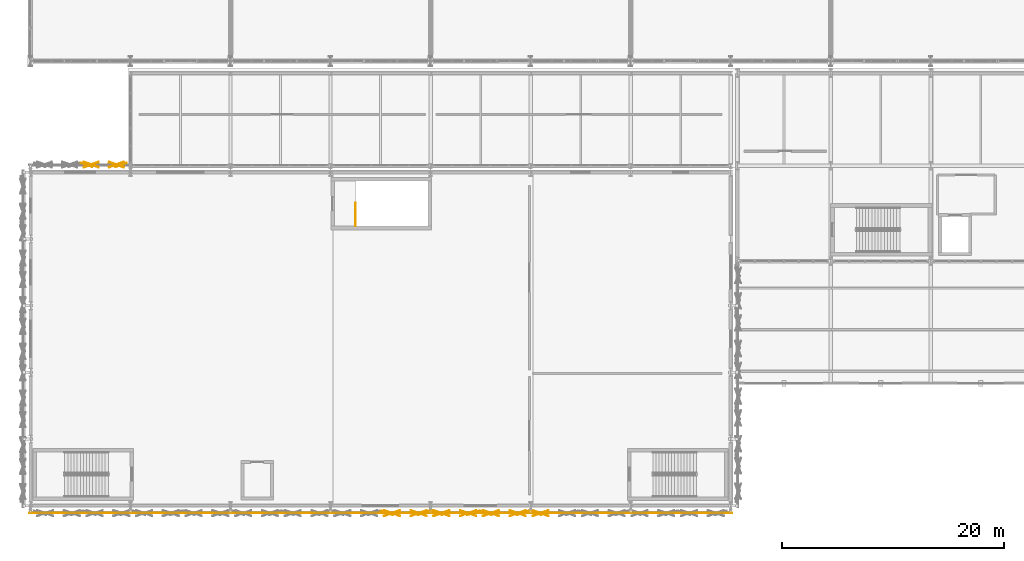
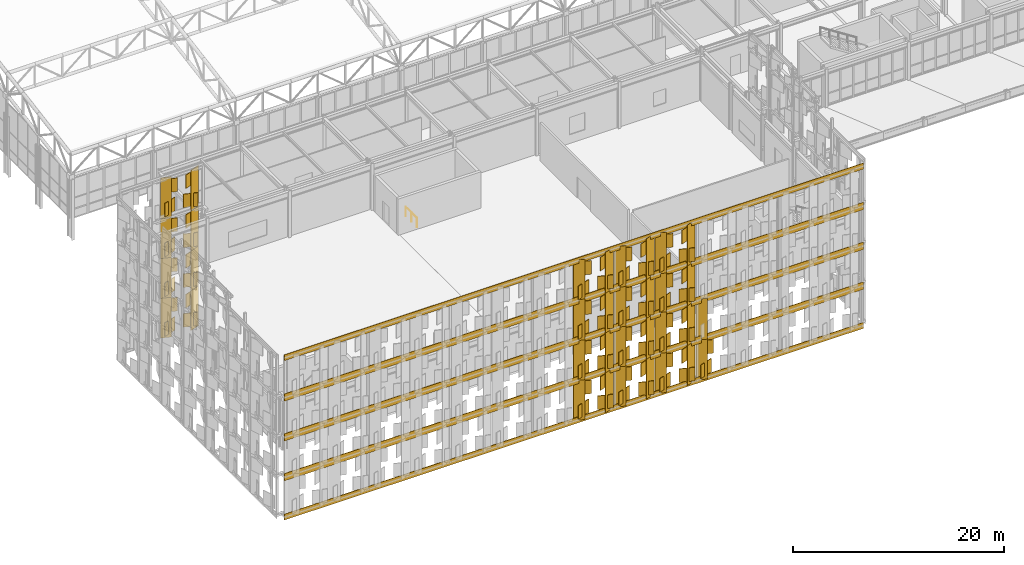
# One storey, part 218 of 239: 105 coverings, 1 railing.
"""IFC4 building model written with IfcOpenShell, lengths in metres."""

from ifc_helpers import new_model, si_unit, direction, frame, origin, origin_2d, place, context, subcontext, project, spatial, rectangle, circle, extrude, material, layer, layer_set, type_object, element, save


model = new_model("IFC4")

# Units and contexts
model_context = context("Model", 3, precision=1e-05, world=origin(), true_north=direction((0.0, 1.0)))
body_context = subcontext(model_context, "Body", "Model", "MODEL_VIEW")
ifc_project = project(units=[si_unit("LENGTHUNIT", "METRE"), si_unit("AREAUNIT", "SQUARE_METRE"), si_unit("VOLUMEUNIT", "CUBIC_METRE"), si_unit("PLANEANGLEUNIT", "RADIAN"), si_unit("MASSUNIT", "GRAM", prefix="KILO")], contexts=[model_context])

# Site, building, storey
site_placement = place(None, origin())
site = spatial("IfcSite", under=ifc_project, at=site_placement, CompositionType="ELEMENT")
building_placement = place(site_placement, origin())
building = spatial("IfcBuilding", under=site, at=building_placement, Name="Kaldris Quays Convention Centre", CompositionType="ELEMENT")
storey_placement = place(building_placement, frame((0.0, 0.0, 11.39990234375)))
storey = spatial("IfcBuildingStorey", under=building, at=storey_placement, Name="L02", CompositionType="ELEMENT", Elevation=11.39990234375)

# Railing
ifc_material_1 = material(Name="Steel S355J2", Category="steel")
railing_type = type_object("IfcRailingType", Name="INTERIOR GUARDRAIL GR01", PredefinedType="GUARDRAIL", material=ifc_material_1)
railing_placement = place(storey_placement, frame((49.25, 41.14990234375, 0.0)))
element("IfcRailing", 1, at=railing_placement, inside=storey, type_object=railing_type, Name="L02 ST07 Top Well Guardrail 1", PredefinedType="GUARDRAIL", context=body_context, shape_type="SweptSolid", body=[
    extrude(circle(Radius=0.02392578125, at=origin_2d()), frame((0.0, 0.0, 1.076171875), z_axis=(0.0, 1.0, 0.0), x_axis=(-1.0, 0.0, 0.0)), (0.0, 0.0, 1.0), 2.10009765625),
    extrude(circle(Radius=0.02099609375, at=origin_2d()), origin(), (0.0, 0.0, 1.0), 1.052001953125),
    extrude(circle(Radius=0.02099609375, at=origin_2d()), frame((0.0, 1.050048828125, 0.0)), (0.0, 0.0, 1.0), 1.052001953125),
    extrude(circle(Radius=0.02099609375, at=origin_2d()), frame((0.0, 2.10009765625, 0.0)), (0.0, 0.0, 1.0), 1.052001953125),
])

# Coverings
ifc_material_2 = material(Name="Alabaster white star-pierced anodized aluminium panel", Category="aluminium")
ifc_layer = layer(ifc_material_2, 0.044921875)
ifc_layer_set = layer_set([ifc_layer], Name="Alabaster white star-pierced anodized aluminium panel")
covering_type = type_object("IfcCoveringType", Name="STAR PIERCED WHITE FOLDED SCREEN CL01", PredefinedType="CLADDING", material=ifc_layer_set)
covering_1_placement = place(storey_placement, frame((51.5, 15.35009765625, -7.8896484375), z_axis=(0.0, 0.0, 1.0), x_axis=(1.0, 0.0, 0.0)))
element("IfcCovering", 2, at=covering_1_placement, inside=storey, type_object=covering_type, Name="V3S White Screen Folded Band 2714", PredefinedType="CLADDING", context=body_context, shape_type="SweptSolid", body=[
    extrude(rectangle(XDim=63.239990234375, YDim=0.054931640625, at=origin_2d()), origin(), (0.0, 0.0, 1.0), 0.679931640625),
])
for number, where, z_axis, x_axis, name in (
    (3, (51.5, 15.35009765625, -3.3701171875), (0.0, 0.0, 1.0), (1.0, 0.0, 0.0), "V3S White Screen Folded Band 2715"),
    (4, (51.5, 15.35009765625, 1.22998046875), (0.0, 0.0, 1.0), (1.0, 0.0, 0.0), "V3S White Screen Folded Band 2716"),
    (5, (51.5, 15.35009765625, 5.830078125), (0.0, 0.0, 1.0), (1.0, 0.0, 0.0), "V3S White Screen Folded Band 2717"),
):
    element("IfcCovering", number, at=place(storey_placement, frame(where, z_axis=z_axis, x_axis=x_axis)), inside=storey, type_object=covering_type, Name=name, PredefinedType="CLADDING", context=body_context, shape_type="SweptSolid", body=[
        extrude(rectangle(XDim=63.239990234375, YDim=0.054931640625, at=origin_2d()), origin(), (0.0, 0.0, 1.0), 0.840087890625),
    ])
covering_2_placement = place(storey_placement, frame((51.5, 15.35009765625, 10.51025390625), z_axis=(0.0, 0.0, 1.0), x_axis=(1.0, 0.0, 0.0)))
element("IfcCovering", 6, at=covering_2_placement, inside=storey, type_object=covering_type, Name="V3S White Screen Folded Band 2718", PredefinedType="CLADDING", context=body_context, shape_type="SweptSolid", body=[
    extrude(rectangle(XDim=63.239990234375, YDim=0.054931640625, at=origin_2d()), origin(), (0.0, 0.0, 1.0), 0.679931640625),
])
for number, where, z_axis, x_axis, name in (
    (7, (52.079345703125, 15.340087890625, -7.60986328125), (0.0, 0.0, 1.0), (0.945518575599, -0.325568154457, 0.0), "V3S Folded White Screen Stile 2887"),
    (8, (55.377685546875, 15.340087890625, -7.60986328125), (0.0, 0.0, 1.0), (0.945518575599, 0.325568154457, 0.0), "V3S Folded White Screen Stile 2888"),
):
    element("IfcCovering", number, at=place(storey_placement, frame(where, z_axis=z_axis, x_axis=x_axis)), inside=storey, type_object=covering_type, Name=name, PredefinedType="CLADDING", context=body_context, shape_type="SweptSolid", body=[
        extrude(rectangle(XDim=1.131103515625, YDim=0.054931640625, at=origin_2d()), origin(), (0.0, 0.0, 1.0), 4.719970703125),
    ])
for number, where, z_axis, x_axis, name in (
    (9, (52.525146484375, 15.320068359375, -7.27392578125), (0.0, 0.0, 1.0), (0.945518575599, 0.325568154457, 0.0), "V3S Carved Star Corner Facet 2889"),
    (10, (52.525146484375, 15.320068359375, -4.789794921875), (0.0, 0.0, 1.0), (0.945518575599, -0.325568154457, 0.0), "V3S Carved Star Corner Facet 2890"),
    (11, (54.931884765625, 15.320068359375, -7.27392578125), (0.0, 0.0, 1.0), (0.945518575599, -0.325568154457, 0.0), "V3S Carved Star Corner Facet 2891"),
    (12, (54.931884765625, 15.320068359375, -4.789794921875), (0.0, 0.0, 1.0), (0.945518575599, 0.325568154457, 0.0), "V3S Carved Star Corner Facet 2892"),
):
    element("IfcCovering", number, at=place(storey_placement, frame(where, z_axis=z_axis, x_axis=x_axis)), inside=storey, type_object=covering_type, Name=name, PredefinedType="CLADDING", context=body_context, shape_type="SweptSolid", body=[
        extrude(rectangle(XDim=1.514892578125, YDim=0.06494140625, at=origin_2d()), origin(), (0.0, 0.0, 1.0), 1.56396484375),
    ])
for number, where, z_axis, x_axis, name in (
    (13, (52.079345703125, 15.340087890625, -3.009765625), (0.0, 0.0, 1.0), (0.945518575599, -0.325568154457, 0.0), "V3S Folded White Screen Stile 2893"),
    (14, (55.377685546875, 15.340087890625, -3.009765625), (0.0, 0.0, 1.0), (0.945518575599, 0.325568154457, 0.0), "V3S Folded White Screen Stile 2894"),
):
    element("IfcCovering", number, at=place(storey_placement, frame(where, z_axis=z_axis, x_axis=x_axis)), inside=storey, type_object=covering_type, Name=name, PredefinedType="CLADDING", context=body_context, shape_type="SweptSolid", body=[
        extrude(rectangle(XDim=1.131103515625, YDim=0.054931640625, at=origin_2d()), origin(), (0.0, 0.0, 1.0), 4.719970703125),
    ])
for number, where, z_axis, x_axis, name in (
    (15, (52.525146484375, 15.320068359375, -2.673828125), (0.0, 0.0, 1.0), (0.945518575599, 0.325568154457, 0.0), "V3S Carved Star Corner Facet 2895"),
    (16, (52.525146484375, 15.320068359375, -0.18994140625), (0.0, 0.0, 1.0), (0.945518575599, -0.325568154457, 0.0), "V3S Carved Star Corner Facet 2896"),
    (17, (54.931884765625, 15.320068359375, -2.673828125), (0.0, 0.0, 1.0), (0.945518575599, -0.325568154457, 0.0), "V3S Carved Star Corner Facet 2897"),
    (18, (54.931884765625, 15.320068359375, -0.18994140625), (0.0, 0.0, 1.0), (0.945518575599, 0.325568154457, 0.0), "V3S Carved Star Corner Facet 2898"),
):
    element("IfcCovering", number, at=place(storey_placement, frame(where, z_axis=z_axis, x_axis=x_axis)), inside=storey, type_object=covering_type, Name=name, PredefinedType="CLADDING", context=body_context, shape_type="SweptSolid", body=[
        extrude(rectangle(XDim=1.514892578125, YDim=0.06494140625, at=origin_2d()), origin(), (0.0, 0.0, 1.0), 1.56396484375),
    ])
for number, where, z_axis, x_axis, name in (
    (19, (52.079345703125, 15.340087890625, 1.59033203125), (0.0, 0.0, 1.0), (0.945518575599, -0.325568154457, 0.0), "V3S Folded White Screen Stile 2899"),
    (20, (55.377685546875, 15.340087890625, 1.59033203125), (0.0, 0.0, 1.0), (0.945518575599, 0.325568154457, 0.0), "V3S Folded White Screen Stile 2900"),
):
    element("IfcCovering", number, at=place(storey_placement, frame(where, z_axis=z_axis, x_axis=x_axis)), inside=storey, type_object=covering_type, Name=name, PredefinedType="CLADDING", context=body_context, shape_type="SweptSolid", body=[
        extrude(rectangle(XDim=1.131103515625, YDim=0.054931640625, at=origin_2d()), origin(), (0.0, 0.0, 1.0), 4.719970703125),
    ])
for number, where, z_axis, x_axis, name in (
    (21, (52.525146484375, 15.320068359375, 1.926025390625), (0.0, 0.0, 1.0), (0.945518575599, 0.325568154457, 0.0), "V3S Carved Star Corner Facet 2901"),
    (22, (52.525146484375, 15.320068359375, 4.41015625), (0.0, 0.0, 1.0), (0.945518575599, -0.325568154457, 0.0), "V3S Carved Star Corner Facet 2902"),
    (23, (54.931884765625, 15.320068359375, 1.926025390625), (0.0, 0.0, 1.0), (0.945518575599, -0.325568154457, 0.0), "V3S Carved Star Corner Facet 2903"),
    (24, (54.931884765625, 15.320068359375, 4.41015625), (0.0, 0.0, 1.0), (0.945518575599, 0.325568154457, 0.0), "V3S Carved Star Corner Facet 2904"),
):
    element("IfcCovering", number, at=place(storey_placement, frame(where, z_axis=z_axis, x_axis=x_axis)), inside=storey, type_object=covering_type, Name=name, PredefinedType="CLADDING", context=body_context, shape_type="SweptSolid", body=[
        extrude(rectangle(XDim=1.514892578125, YDim=0.06494140625, at=origin_2d()), origin(), (0.0, 0.0, 1.0), 1.56396484375),
    ])
for number, where, z_axis, x_axis, name in (
    (25, (52.079345703125, 15.340087890625, 6.18994140625), (0.0, 0.0, 1.0), (0.945518575599, -0.325568154457, 0.0), "V3S Folded White Screen Stile 2905"),
    (26, (55.377685546875, 15.340087890625, 6.18994140625), (0.0, 0.0, 1.0), (0.945518575599, 0.325568154457, 0.0), "V3S Folded White Screen Stile 2906"),
):
    element("IfcCovering", number, at=place(storey_placement, frame(where, z_axis=z_axis, x_axis=x_axis)), inside=storey, type_object=covering_type, Name=name, PredefinedType="CLADDING", context=body_context, shape_type="SweptSolid", body=[
        extrude(rectangle(XDim=1.131103515625, YDim=0.054931640625, at=origin_2d()), origin(), (0.0, 0.0, 1.0), 4.719970703125),
    ])
for number, where, z_axis, x_axis, name in (
    (27, (52.525146484375, 15.320068359375, 6.526123046875), (0.0, 0.0, 1.0), (0.945518575599, 0.325568154457, 0.0), "V3S Carved Star Corner Facet 2907"),
    (28, (52.525146484375, 15.320068359375, 9.010009765625), (0.0, 0.0, 1.0), (0.945518575599, -0.325568154457, 0.0), "V3S Carved Star Corner Facet 2908"),
    (29, (54.931884765625, 15.320068359375, 6.526123046875), (0.0, 0.0, 1.0), (0.945518575599, -0.325568154457, 0.0), "V3S Carved Star Corner Facet 2909"),
    (30, (54.931884765625, 15.320068359375, 9.010009765625), (0.0, 0.0, 1.0), (0.945518575599, 0.325568154457, 0.0), "V3S Carved Star Corner Facet 2910"),
):
    element("IfcCovering", number, at=place(storey_placement, frame(where, z_axis=z_axis, x_axis=x_axis)), inside=storey, type_object=covering_type, Name=name, PredefinedType="CLADDING", context=body_context, shape_type="SweptSolid", body=[
        extrude(rectangle(XDim=1.514892578125, YDim=0.06494140625, at=origin_2d()), origin(), (0.0, 0.0, 1.0), 1.56396484375),
    ])
for number, where, z_axis, x_axis, name in (
    (31, (56.53662109375, 15.340087890625, -7.60986328125), (0.0, 0.0, 1.0), (0.945518575599, -0.325568154457, 0.0), "V3S Folded White Screen Stile 2911"),
    (32, (59.8349609375, 15.340087890625, -7.60986328125), (0.0, 0.0, 1.0), (0.945518575599, 0.325568154457, 0.0), "V3S Folded White Screen Stile 2912"),
):
    element("IfcCovering", number, at=place(storey_placement, frame(where, z_axis=z_axis, x_axis=x_axis)), inside=storey, type_object=covering_type, Name=name, PredefinedType="CLADDING", context=body_context, shape_type="SweptSolid", body=[
        extrude(rectangle(XDim=1.131103515625, YDim=0.054931640625, at=origin_2d()), origin(), (0.0, 0.0, 1.0), 4.719970703125),
    ])
for number, where, z_axis, x_axis, name in (
    (33, (56.982421875, 15.320068359375, -7.27392578125), (0.0, 0.0, 1.0), (0.945518575599, 0.325568154457, 0.0), "V3S Carved Star Corner Facet 2913"),
    (34, (56.982421875, 15.320068359375, -4.789794921875), (0.0, 0.0, 1.0), (0.945518575599, -0.325568154457, 0.0), "V3S Carved Star Corner Facet 2914"),
    (35, (59.38916015625, 15.320068359375, -7.27392578125), (0.0, 0.0, 1.0), (0.945518575599, -0.325568154457, 0.0), "V3S Carved Star Corner Facet 2915"),
    (36, (59.38916015625, 15.320068359375, -4.789794921875), (0.0, 0.0, 1.0), (0.945518575599, 0.325568154457, 0.0), "V3S Carved Star Corner Facet 2916"),
):
    element("IfcCovering", number, at=place(storey_placement, frame(where, z_axis=z_axis, x_axis=x_axis)), inside=storey, type_object=covering_type, Name=name, PredefinedType="CLADDING", context=body_context, shape_type="SweptSolid", body=[
        extrude(rectangle(XDim=1.514892578125, YDim=0.06494140625, at=origin_2d()), origin(), (0.0, 0.0, 1.0), 1.56396484375),
    ])
for number, where, z_axis, x_axis, name in (
    (37, (56.53662109375, 15.340087890625, -3.009765625), (0.0, 0.0, 1.0), (0.945518575599, -0.325568154457, 0.0), "V3S Folded White Screen Stile 2917"),
    (38, (59.8349609375, 15.340087890625, -3.009765625), (0.0, 0.0, 1.0), (0.945518575599, 0.325568154457, 0.0), "V3S Folded White Screen Stile 2918"),
):
    element("IfcCovering", number, at=place(storey_placement, frame(where, z_axis=z_axis, x_axis=x_axis)), inside=storey, type_object=covering_type, Name=name, PredefinedType="CLADDING", context=body_context, shape_type="SweptSolid", body=[
        extrude(rectangle(XDim=1.131103515625, YDim=0.054931640625, at=origin_2d()), origin(), (0.0, 0.0, 1.0), 4.719970703125),
    ])
for number, where, z_axis, x_axis, name in (
    (39, (56.982421875, 15.320068359375, -2.673828125), (0.0, 0.0, 1.0), (0.945518575599, 0.325568154457, 0.0), "V3S Carved Star Corner Facet 2919"),
    (40, (56.982421875, 15.320068359375, -0.18994140625), (0.0, 0.0, 1.0), (0.945518575599, -0.325568154457, 0.0), "V3S Carved Star Corner Facet 2920"),
    (41, (59.38916015625, 15.320068359375, -2.673828125), (0.0, 0.0, 1.0), (0.945518575599, -0.325568154457, 0.0), "V3S Carved Star Corner Facet 2921"),
    (42, (59.38916015625, 15.320068359375, -0.18994140625), (0.0, 0.0, 1.0), (0.945518575599, 0.325568154457, 0.0), "V3S Carved Star Corner Facet 2922"),
):
    element("IfcCovering", number, at=place(storey_placement, frame(where, z_axis=z_axis, x_axis=x_axis)), inside=storey, type_object=covering_type, Name=name, PredefinedType="CLADDING", context=body_context, shape_type="SweptSolid", body=[
        extrude(rectangle(XDim=1.514892578125, YDim=0.06494140625, at=origin_2d()), origin(), (0.0, 0.0, 1.0), 1.56396484375),
    ])
for number, where, z_axis, x_axis, name in (
    (43, (56.53662109375, 15.340087890625, 1.59033203125), (0.0, 0.0, 1.0), (0.945518575599, -0.325568154457, 0.0), "V3S Folded White Screen Stile 2923"),
    (44, (59.8349609375, 15.340087890625, 1.59033203125), (0.0, 0.0, 1.0), (0.945518575599, 0.325568154457, 0.0), "V3S Folded White Screen Stile 2924"),
):
    element("IfcCovering", number, at=place(storey_placement, frame(where, z_axis=z_axis, x_axis=x_axis)), inside=storey, type_object=covering_type, Name=name, PredefinedType="CLADDING", context=body_context, shape_type="SweptSolid", body=[
        extrude(rectangle(XDim=1.131103515625, YDim=0.054931640625, at=origin_2d()), origin(), (0.0, 0.0, 1.0), 4.719970703125),
    ])
for number, where, z_axis, x_axis, name in (
    (45, (56.982421875, 15.320068359375, 1.926025390625), (0.0, 0.0, 1.0), (0.945518575599, 0.325568154457, 0.0), "V3S Carved Star Corner Facet 2925"),
    (46, (56.982421875, 15.320068359375, 4.41015625), (0.0, 0.0, 1.0), (0.945518575599, -0.325568154457, 0.0), "V3S Carved Star Corner Facet 2926"),
    (47, (59.38916015625, 15.320068359375, 1.926025390625), (0.0, 0.0, 1.0), (0.945518575599, -0.325568154457, 0.0), "V3S Carved Star Corner Facet 2927"),
    (48, (59.38916015625, 15.320068359375, 4.41015625), (0.0, 0.0, 1.0), (0.945518575599, 0.325568154457, 0.0), "V3S Carved Star Corner Facet 2928"),
):
    element("IfcCovering", number, at=place(storey_placement, frame(where, z_axis=z_axis, x_axis=x_axis)), inside=storey, type_object=covering_type, Name=name, PredefinedType="CLADDING", context=body_context, shape_type="SweptSolid", body=[
        extrude(rectangle(XDim=1.514892578125, YDim=0.06494140625, at=origin_2d()), origin(), (0.0, 0.0, 1.0), 1.56396484375),
    ])
for number, where, z_axis, x_axis, name in (
    (49, (56.53662109375, 15.340087890625, 6.18994140625), (0.0, 0.0, 1.0), (0.945518575599, -0.325568154457, 0.0), "V3S Folded White Screen Stile 2929"),
    (50, (59.8349609375, 15.340087890625, 6.18994140625), (0.0, 0.0, 1.0), (0.945518575599, 0.325568154457, 0.0), "V3S Folded White Screen Stile 2930"),
):
    element("IfcCovering", number, at=place(storey_placement, frame(where, z_axis=z_axis, x_axis=x_axis)), inside=storey, type_object=covering_type, Name=name, PredefinedType="CLADDING", context=body_context, shape_type="SweptSolid", body=[
        extrude(rectangle(XDim=1.131103515625, YDim=0.054931640625, at=origin_2d()), origin(), (0.0, 0.0, 1.0), 4.719970703125),
    ])
for number, where, z_axis, x_axis, name in (
    (51, (56.982421875, 15.320068359375, 6.526123046875), (0.0, 0.0, 1.0), (0.945518575599, 0.325568154457, 0.0), "V3S Carved Star Corner Facet 2931"),
    (52, (56.982421875, 15.320068359375, 9.010009765625), (0.0, 0.0, 1.0), (0.945518575599, -0.325568154457, 0.0), "V3S Carved Star Corner Facet 2932"),
    (53, (59.38916015625, 15.320068359375, 6.526123046875), (0.0, 0.0, 1.0), (0.945518575599, -0.325568154457, 0.0), "V3S Carved Star Corner Facet 2933"),
    (54, (59.38916015625, 15.320068359375, 9.010009765625), (0.0, 0.0, 1.0), (0.945518575599, 0.325568154457, 0.0), "V3S Carved Star Corner Facet 2934"),
):
    element("IfcCovering", number, at=place(storey_placement, frame(where, z_axis=z_axis, x_axis=x_axis)), inside=storey, type_object=covering_type, Name=name, PredefinedType="CLADDING", context=body_context, shape_type="SweptSolid", body=[
        extrude(rectangle(XDim=1.514892578125, YDim=0.06494140625, at=origin_2d()), origin(), (0.0, 0.0, 1.0), 1.56396484375),
    ])
for number, where, z_axis, x_axis, name in (
    (55, (60.99365234375, 15.340087890625, -7.60986328125), (0.0, 0.0, 1.0), (0.945518575599, -0.325568154457, 0.0), "V3S Folded White Screen Stile 2935"),
    (56, (64.2919921875, 15.340087890625, -7.60986328125), (0.0, 0.0, 1.0), (0.945518575599, 0.325568154457, 0.0), "V3S Folded White Screen Stile 2936"),
):
    element("IfcCovering", number, at=place(storey_placement, frame(where, z_axis=z_axis, x_axis=x_axis)), inside=storey, type_object=covering_type, Name=name, PredefinedType="CLADDING", context=body_context, shape_type="SweptSolid", body=[
        extrude(rectangle(XDim=1.131103515625, YDim=0.054931640625, at=origin_2d()), origin(), (0.0, 0.0, 1.0), 4.719970703125),
    ])
for number, where, z_axis, x_axis, name in (
    (57, (61.439453125, 15.320068359375, -7.27392578125), (0.0, 0.0, 1.0), (0.945518575599, 0.325568154457, 0.0), "V3S Carved Star Corner Facet 2937"),
    (58, (61.439453125, 15.320068359375, -4.789794921875), (0.0, 0.0, 1.0), (0.945518575599, -0.325568154457, 0.0), "V3S Carved Star Corner Facet 2938"),
    (59, (63.84619140625, 15.320068359375, -7.27392578125), (0.0, 0.0, 1.0), (0.945518575599, -0.325568154457, 0.0), "V3S Carved Star Corner Facet 2939"),
    (60, (63.84619140625, 15.320068359375, -4.789794921875), (0.0, 0.0, 1.0), (0.945518575599, 0.325568154457, 0.0), "V3S Carved Star Corner Facet 2940"),
):
    element("IfcCovering", number, at=place(storey_placement, frame(where, z_axis=z_axis, x_axis=x_axis)), inside=storey, type_object=covering_type, Name=name, PredefinedType="CLADDING", context=body_context, shape_type="SweptSolid", body=[
        extrude(rectangle(XDim=1.514892578125, YDim=0.06494140625, at=origin_2d()), origin(), (0.0, 0.0, 1.0), 1.56396484375),
    ])
for number, where, z_axis, x_axis, name in (
    (61, (60.99365234375, 15.340087890625, -3.009765625), (0.0, 0.0, 1.0), (0.945518575599, -0.325568154457, 0.0), "V3S Folded White Screen Stile 2941"),
    (62, (64.2919921875, 15.340087890625, -3.009765625), (0.0, 0.0, 1.0), (0.945518575599, 0.325568154457, 0.0), "V3S Folded White Screen Stile 2942"),
):
    element("IfcCovering", number, at=place(storey_placement, frame(where, z_axis=z_axis, x_axis=x_axis)), inside=storey, type_object=covering_type, Name=name, PredefinedType="CLADDING", context=body_context, shape_type="SweptSolid", body=[
        extrude(rectangle(XDim=1.131103515625, YDim=0.054931640625, at=origin_2d()), origin(), (0.0, 0.0, 1.0), 4.719970703125),
    ])
for number, where, z_axis, x_axis, name in (
    (63, (61.439453125, 15.320068359375, -2.673828125), (0.0, 0.0, 1.0), (0.945518575599, 0.325568154457, 0.0), "V3S Carved Star Corner Facet 2943"),
    (64, (61.439453125, 15.320068359375, -0.18994140625), (0.0, 0.0, 1.0), (0.945518575599, -0.325568154457, 0.0), "V3S Carved Star Corner Facet 2944"),
    (65, (63.84619140625, 15.320068359375, -2.673828125), (0.0, 0.0, 1.0), (0.945518575599, -0.325568154457, 0.0), "V3S Carved Star Corner Facet 2945"),
    (66, (63.84619140625, 15.320068359375, -0.18994140625), (0.0, 0.0, 1.0), (0.945518575599, 0.325568154457, 0.0), "V3S Carved Star Corner Facet 2946"),
):
    element("IfcCovering", number, at=place(storey_placement, frame(where, z_axis=z_axis, x_axis=x_axis)), inside=storey, type_object=covering_type, Name=name, PredefinedType="CLADDING", context=body_context, shape_type="SweptSolid", body=[
        extrude(rectangle(XDim=1.514892578125, YDim=0.06494140625, at=origin_2d()), origin(), (0.0, 0.0, 1.0), 1.56396484375),
    ])
for number, where, z_axis, x_axis, name in (
    (67, (60.99365234375, 15.340087890625, 1.59033203125), (0.0, 0.0, 1.0), (0.945518575599, -0.325568154457, 0.0), "V3S Folded White Screen Stile 2947"),
    (68, (64.2919921875, 15.340087890625, 1.59033203125), (0.0, 0.0, 1.0), (0.945518575599, 0.325568154457, 0.0), "V3S Folded White Screen Stile 2948"),
):
    element("IfcCovering", number, at=place(storey_placement, frame(where, z_axis=z_axis, x_axis=x_axis)), inside=storey, type_object=covering_type, Name=name, PredefinedType="CLADDING", context=body_context, shape_type="SweptSolid", body=[
        extrude(rectangle(XDim=1.131103515625, YDim=0.054931640625, at=origin_2d()), origin(), (0.0, 0.0, 1.0), 4.719970703125),
    ])
for number, where, z_axis, x_axis, name in (
    (69, (61.439453125, 15.320068359375, 1.926025390625), (0.0, 0.0, 1.0), (0.945518575599, 0.325568154457, 0.0), "V3S Carved Star Corner Facet 2949"),
    (70, (61.439453125, 15.320068359375, 4.41015625), (0.0, 0.0, 1.0), (0.945518575599, -0.325568154457, 0.0), "V3S Carved Star Corner Facet 2950"),
    (71, (63.84619140625, 15.320068359375, 1.926025390625), (0.0, 0.0, 1.0), (0.945518575599, -0.325568154457, 0.0), "V3S Carved Star Corner Facet 2951"),
    (72, (63.84619140625, 15.320068359375, 4.41015625), (0.0, 0.0, 1.0), (0.945518575599, 0.325568154457, 0.0), "V3S Carved Star Corner Facet 2952"),
):
    element("IfcCovering", number, at=place(storey_placement, frame(where, z_axis=z_axis, x_axis=x_axis)), inside=storey, type_object=covering_type, Name=name, PredefinedType="CLADDING", context=body_context, shape_type="SweptSolid", body=[
        extrude(rectangle(XDim=1.514892578125, YDim=0.06494140625, at=origin_2d()), origin(), (0.0, 0.0, 1.0), 1.56396484375),
    ])
for number, where, z_axis, x_axis, name in (
    (73, (60.99365234375, 15.340087890625, 6.18994140625), (0.0, 0.0, 1.0), (0.945518575599, -0.325568154457, 0.0), "V3S Folded White Screen Stile 2953"),
    (74, (64.2919921875, 15.340087890625, 6.18994140625), (0.0, 0.0, 1.0), (0.945518575599, 0.325568154457, 0.0), "V3S Folded White Screen Stile 2954"),
):
    element("IfcCovering", number, at=place(storey_placement, frame(where, z_axis=z_axis, x_axis=x_axis)), inside=storey, type_object=covering_type, Name=name, PredefinedType="CLADDING", context=body_context, shape_type="SweptSolid", body=[
        extrude(rectangle(XDim=1.131103515625, YDim=0.054931640625, at=origin_2d()), origin(), (0.0, 0.0, 1.0), 4.719970703125),
    ])
for number, where, z_axis, x_axis, name in (
    (75, (61.439453125, 15.320068359375, 6.526123046875), (0.0, 0.0, 1.0), (0.945518575599, 0.325568154457, 0.0), "V3S Carved Star Corner Facet 2955"),
    (76, (61.439453125, 15.320068359375, 9.010009765625), (0.0, 0.0, 1.0), (0.945518575599, -0.325568154457, 0.0), "V3S Carved Star Corner Facet 2956"),
    (77, (63.84619140625, 15.320068359375, 6.526123046875), (0.0, 0.0, 1.0), (0.945518575599, -0.325568154457, 0.0), "V3S Carved Star Corner Facet 2957"),
    (78, (63.84619140625, 15.320068359375, 9.010009765625), (0.0, 0.0, 1.0), (0.945518575599, 0.325568154457, 0.0), "V3S Carved Star Corner Facet 2958"),
):
    element("IfcCovering", number, at=place(storey_placement, frame(where, z_axis=z_axis, x_axis=x_axis)), inside=storey, type_object=covering_type, Name=name, PredefinedType="CLADDING", context=body_context, shape_type="SweptSolid", body=[
        extrude(rectangle(XDim=1.514892578125, YDim=0.06494140625, at=origin_2d()), origin(), (0.0, 0.0, 1.0), 1.56396484375),
    ])
covering_3_placement = place(storey_placement, frame((65.450927734375, 15.340087890625, -7.60986328125), z_axis=(0.0, 0.0, 1.0), x_axis=(0.945518575599, -0.325568154457, 0.0)))
element("IfcCovering", 79, at=covering_3_placement, inside=storey, type_object=covering_type, Name="V3S Folded White Screen Stile 2959", PredefinedType="CLADDING", context=body_context, shape_type="SweptSolid", body=[
    extrude(rectangle(XDim=1.131103515625, YDim=0.054931640625, at=origin_2d()), origin(), (0.0, 0.0, 1.0), 4.719970703125),
])
for number, where, z_axis, x_axis, name in (
    (80, (65.896484375, 15.320068359375, -7.27392578125), (0.0, 0.0, 1.0), (0.945518575599, 0.325568154457, 0.0), "V3S Carved Star Corner Facet 2961"),
    (81, (65.896484375, 15.320068359375, -4.789794921875), (0.0, 0.0, 1.0), (0.945518575599, -0.325568154457, 0.0), "V3S Carved Star Corner Facet 2962"),
):
    element("IfcCovering", number, at=place(storey_placement, frame(where, z_axis=z_axis, x_axis=x_axis)), inside=storey, type_object=covering_type, Name=name, PredefinedType="CLADDING", context=body_context, shape_type="SweptSolid", body=[
        extrude(rectangle(XDim=1.514892578125, YDim=0.06494140625, at=origin_2d()), origin(), (0.0, 0.0, 1.0), 1.56396484375),
    ])
covering_4_placement = place(storey_placement, frame((65.450927734375, 15.340087890625, -3.009765625), z_axis=(0.0, 0.0, 1.0), x_axis=(0.945518575599, -0.325568154457, 0.0)))
element("IfcCovering", 82, at=covering_4_placement, inside=storey, type_object=covering_type, Name="V3S Folded White Screen Stile 2965", PredefinedType="CLADDING", context=body_context, shape_type="SweptSolid", body=[
    extrude(rectangle(XDim=1.131103515625, YDim=0.054931640625, at=origin_2d()), origin(), (0.0, 0.0, 1.0), 4.719970703125),
])
for number, where, z_axis, x_axis, name in (
    (83, (25.0458984375, 46.659912109375, -7.60986328125), (0.0, 0.0, 1.0), (0.945518575599, -0.325568154457, 0.0), "V3N Folded White Screen Stile 3084"),
    (84, (28.154052734375, 46.659912109375, -7.60986328125), (0.0, 0.0, 1.0), (0.945518575599, 0.325568154457, 0.0), "V3N Folded White Screen Stile 3085"),
):
    element("IfcCovering", number, at=place(storey_placement, frame(where, z_axis=z_axis, x_axis=x_axis)), inside=storey, type_object=covering_type, Name=name, PredefinedType="CLADDING", context=body_context, shape_type="SweptSolid", body=[
        extrude(rectangle(XDim=1.06591796875, YDim=0.054931640625, at=origin_2d()), origin(), (0.0, 0.0, 1.0), 4.719970703125),
    ])
for number, where, z_axis, x_axis, name in (
    (85, (25.466064453125, 46.679931640625, -7.27392578125), (0.0, 0.0, 1.0), (0.945518575599, 0.325568154457, 0.0), "V3N Carved Star Corner Facet 3086"),
    (86, (25.466064453125, 46.679931640625, -4.789794921875), (0.0, 0.0, 1.0), (0.945518575599, -0.325568154457, 0.0), "V3N Carved Star Corner Facet 3087"),
    (87, (27.73388671875, 46.679931640625, -7.27392578125), (0.0, 0.0, 1.0), (0.945518575599, -0.325568154457, 0.0), "V3N Carved Star Corner Facet 3088"),
    (88, (27.73388671875, 46.679931640625, -4.789794921875), (0.0, 0.0, 1.0), (0.945518575599, 0.325568154457, 0.0), "V3N Carved Star Corner Facet 3089"),
):
    element("IfcCovering", number, at=place(storey_placement, frame(where, z_axis=z_axis, x_axis=x_axis)), inside=storey, type_object=covering_type, Name=name, PredefinedType="CLADDING", context=body_context, shape_type="SweptSolid", body=[
        extrude(rectangle(XDim=1.427978515625, YDim=0.06494140625, at=origin_2d()), origin(), (0.0, 0.0, 1.0), 1.56396484375),
    ])
for number, where, z_axis, x_axis, name in (
    (89, (25.0458984375, 46.659912109375, -3.009765625), (0.0, 0.0, 1.0), (0.945518575599, -0.325568154457, 0.0), "V3N Folded White Screen Stile 3090"),
    (90, (28.154052734375, 46.659912109375, -3.009765625), (0.0, 0.0, 1.0), (0.945518575599, 0.325568154457, 0.0), "V3N Folded White Screen Stile 3091"),
):
    element("IfcCovering", number, at=place(storey_placement, frame(where, z_axis=z_axis, x_axis=x_axis)), inside=storey, type_object=covering_type, Name=name, PredefinedType="CLADDING", context=body_context, shape_type="SweptSolid", body=[
        extrude(rectangle(XDim=1.06591796875, YDim=0.054931640625, at=origin_2d()), origin(), (0.0, 0.0, 1.0), 4.719970703125),
    ])
for number, where, z_axis, x_axis, name in (
    (91, (25.466064453125, 46.679931640625, -2.673828125), (0.0, 0.0, 1.0), (0.945518575599, 0.325568154457, 0.0), "V3N Carved Star Corner Facet 3092"),
    (92, (25.466064453125, 46.679931640625, -0.18994140625), (0.0, 0.0, 1.0), (0.945518575599, -0.325568154457, 0.0), "V3N Carved Star Corner Facet 3093"),
    (93, (27.73388671875, 46.679931640625, -2.673828125), (0.0, 0.0, 1.0), (0.945518575599, -0.325568154457, 0.0), "V3N Carved Star Corner Facet 3094"),
    (94, (27.73388671875, 46.679931640625, -0.18994140625), (0.0, 0.0, 1.0), (0.945518575599, 0.325568154457, 0.0), "V3N Carved Star Corner Facet 3095"),
):
    element("IfcCovering", number, at=place(storey_placement, frame(where, z_axis=z_axis, x_axis=x_axis)), inside=storey, type_object=covering_type, Name=name, PredefinedType="CLADDING", context=body_context, shape_type="SweptSolid", body=[
        extrude(rectangle(XDim=1.427978515625, YDim=0.06494140625, at=origin_2d()), origin(), (0.0, 0.0, 1.0), 1.56396484375),
    ])
for number, where, z_axis, x_axis, name in (
    (95, (25.0458984375, 46.659912109375, 1.59033203125), (0.0, 0.0, 1.0), (0.945518575599, -0.325568154457, 0.0), "V3N Folded White Screen Stile 3096"),
    (96, (28.154052734375, 46.659912109375, 1.59033203125), (0.0, 0.0, 1.0), (0.945518575599, 0.325568154457, 0.0), "V3N Folded White Screen Stile 3097"),
):
    element("IfcCovering", number, at=place(storey_placement, frame(where, z_axis=z_axis, x_axis=x_axis)), inside=storey, type_object=covering_type, Name=name, PredefinedType="CLADDING", context=body_context, shape_type="SweptSolid", body=[
        extrude(rectangle(XDim=1.06591796875, YDim=0.054931640625, at=origin_2d()), origin(), (0.0, 0.0, 1.0), 4.719970703125),
    ])
for number, where, z_axis, x_axis, name in (
    (97, (25.466064453125, 46.679931640625, 1.926025390625), (0.0, 0.0, 1.0), (0.945518575599, 0.325568154457, 0.0), "V3N Carved Star Corner Facet 3098"),
    (98, (25.466064453125, 46.679931640625, 4.41015625), (0.0, 0.0, 1.0), (0.945518575599, -0.325568154457, 0.0), "V3N Carved Star Corner Facet 3099"),
    (99, (27.73388671875, 46.679931640625, 1.926025390625), (0.0, 0.0, 1.0), (0.945518575599, -0.325568154457, 0.0), "V3N Carved Star Corner Facet 3100"),
    (100, (27.73388671875, 46.679931640625, 4.41015625), (0.0, 0.0, 1.0), (0.945518575599, 0.325568154457, 0.0), "V3N Carved Star Corner Facet 3101"),
):
    element("IfcCovering", number, at=place(storey_placement, frame(where, z_axis=z_axis, x_axis=x_axis)), inside=storey, type_object=covering_type, Name=name, PredefinedType="CLADDING", context=body_context, shape_type="SweptSolid", body=[
        extrude(rectangle(XDim=1.427978515625, YDim=0.06494140625, at=origin_2d()), origin(), (0.0, 0.0, 1.0), 1.56396484375),
    ])
for number, where, z_axis, x_axis, name in (
    (101, (25.0458984375, 46.659912109375, 6.18994140625), (0.0, 0.0, 1.0), (0.945518575599, -0.325568154457, 0.0), "V3N Folded White Screen Stile 3102"),
    (102, (28.154052734375, 46.659912109375, 6.18994140625), (0.0, 0.0, 1.0), (0.945518575599, 0.325568154457, 0.0), "V3N Folded White Screen Stile 3103"),
):
    element("IfcCovering", number, at=place(storey_placement, frame(where, z_axis=z_axis, x_axis=x_axis)), inside=storey, type_object=covering_type, Name=name, PredefinedType="CLADDING", context=body_context, shape_type="SweptSolid", body=[
        extrude(rectangle(XDim=1.06591796875, YDim=0.054931640625, at=origin_2d()), origin(), (0.0, 0.0, 1.0), 4.719970703125),
    ])
for number, where, z_axis, x_axis, name in (
    (103, (25.466064453125, 46.679931640625, 6.526123046875), (0.0, 0.0, 1.0), (0.945518575599, 0.325568154457, 0.0), "V3N Carved Star Corner Facet 3104"),
    (104, (25.466064453125, 46.679931640625, 9.010009765625), (0.0, 0.0, 1.0), (0.945518575599, -0.325568154457, 0.0), "V3N Carved Star Corner Facet 3105"),
    (105, (27.73388671875, 46.679931640625, 6.526123046875), (0.0, 0.0, 1.0), (0.945518575599, -0.325568154457, 0.0), "V3N Carved Star Corner Facet 3106"),
    (106, (27.73388671875, 46.679931640625, 9.010009765625), (0.0, 0.0, 1.0), (0.945518575599, 0.325568154457, 0.0), "V3N Carved Star Corner Facet 3107"),
):
    element("IfcCovering", number, at=place(storey_placement, frame(where, z_axis=z_axis, x_axis=x_axis)), inside=storey, type_object=covering_type, Name=name, PredefinedType="CLADDING", context=body_context, shape_type="SweptSolid", body=[
        extrude(rectangle(XDim=1.427978515625, YDim=0.06494140625, at=origin_2d()), origin(), (0.0, 0.0, 1.0), 1.56396484375),
    ])

save(model, "model.ifc")
